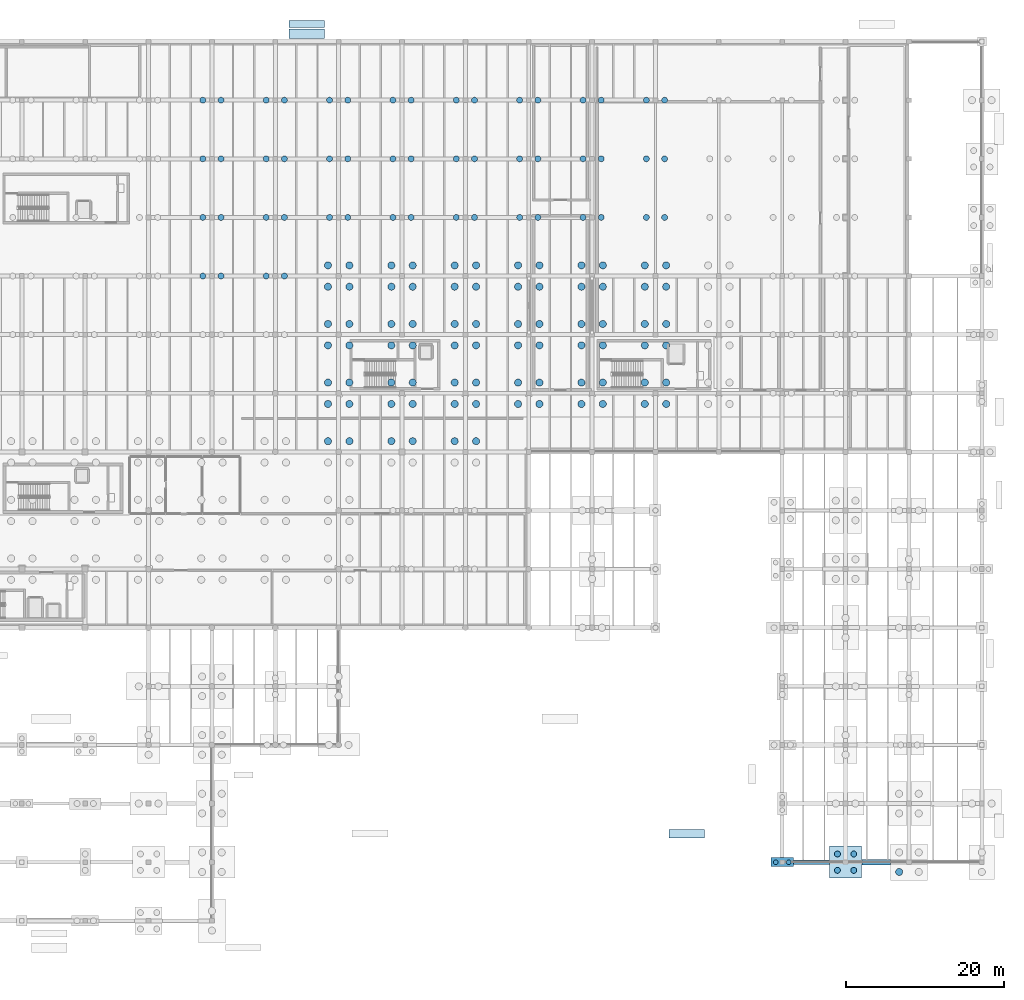
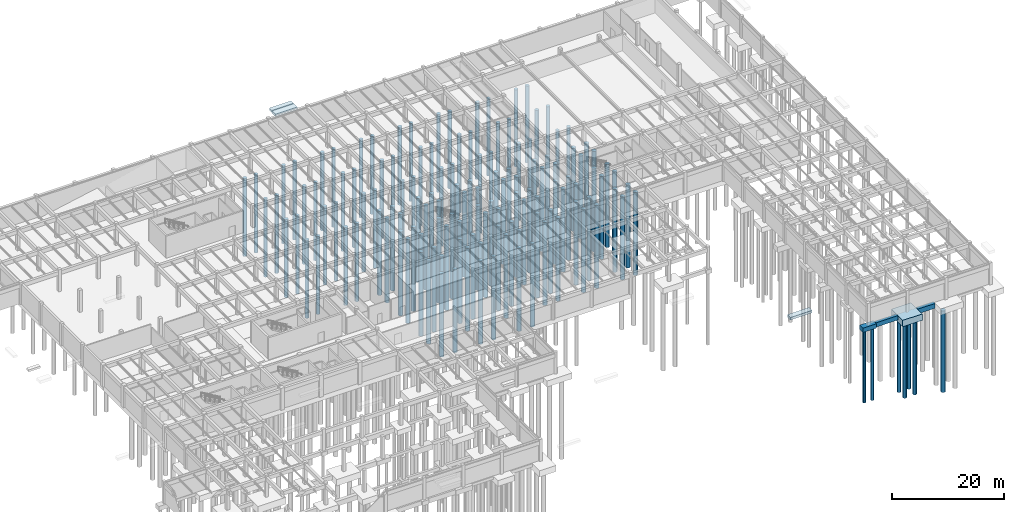
# One storey, part 5 of 40: 137 piles, 7 footings.
"""IFC4 building model written with IfcOpenShell, lengths in metres."""

from ifc_helpers import new_model, si_unit, direction, frame, origin, origin_2d, place, context, subcontext, project, spatial, polyline, rectangle, circle, outline, extrude, material, material_profile, profile_set, type_object, element, save


model = new_model("IFC4")

# Units and contexts
model_context = context("Model", 3, precision=1e-05, world=origin(), true_north=direction((0.0, 1.0)))
body_context = subcontext(model_context, "Body", "Model", "MODEL_VIEW")
ifc_project = project(units=[si_unit("LENGTHUNIT", "METRE"), si_unit("AREAUNIT", "SQUARE_METRE"), si_unit("VOLUMEUNIT", "CUBIC_METRE"), si_unit("PLANEANGLEUNIT", "RADIAN"), si_unit("MASSUNIT", "GRAM", prefix="KILO")], contexts=[model_context])

# Site, building, storey
site_placement = place(None, origin())
site = spatial("IfcSite", under=ifc_project, at=site_placement, CompositionType="ELEMENT")
building_placement = place(site_placement, origin())
building = spatial("IfcBuilding", under=site, at=building_placement, Name="Valkorina Park Police Headquarters", CompositionType="ELEMENT")
storey_placement = place(building_placement, frame((0.0, 0.0, -4.800048828125)))
storey = spatial("IfcBuildingStorey", under=building, at=storey_placement, Name="B01", CompositionType="ELEMENT", Elevation=-4.800048828125)

# Footings
ifc_material_1 = material(Name="Concrete C35/45", Category="concrete")
ifc_material_profile_1 = material_profile(ifc_material_1, rectangle(XDim=0.60009765625, YDim=0.949951171875, at=origin_2d()), Name="GB 600x950")
ifc_profile_set_1 = profile_set([ifc_material_profile_1], Name="Concrete C35/45")
footing_type_1 = type_object("IfcFootingType", Name="FT-GB-05", PredefinedType="FOOTING_BEAM", material=ifc_profile_set_1)
footing_1_placement = place(storey_placement, frame((0.0, 0.0, -0.949951171875)))
element("IfcFooting", 1, at=footing_1_placement, inside=storey, type_object=footing_type_1, Name="Pile Cap Tie Beam GB-05 #17", PredefinedType="FOOTING_BEAM", context=body_context, shape_type="SweptSolid", body=[
    extrude(outline(polyline([(142.7548828125, 7.10009765625), (142.7548828125, 7.699951171875), (138.2451171875, 7.699951171875), (138.2451171875, 7.10009765625), (142.7548828125, 7.10009765625)])), origin(), (0.0, 0.0, 1.0), 0.949951171875),
])
ifc_material_profile_2 = material_profile(ifc_material_1, rectangle(XDim=0.699951171875, YDim=1.050048828125, at=origin_2d()), Name="GB 700x1050")
ifc_profile_set_2 = profile_set([ifc_material_profile_2], Name="Concrete C35/45")
footing_type_2 = type_object("IfcFootingType", Name="FT-GB-06", PredefinedType="FOOTING_BEAM", material=ifc_profile_set_2)
footing_2_placement = place(storey_placement, frame((0.0, 0.0, -1.050048828125)))
element("IfcFooting", 2, at=footing_2_placement, inside=storey, type_object=footing_type_2, Name="Pile Cap Tie Beam GB-06 #18", PredefinedType="FOOTING_BEAM", context=body_context, shape_type="SweptSolid", body=[
    extrude(outline(polyline([(150.455078125, 7.050048828125), (150.455078125, 7.75), (146.844970703125, 7.75), (146.844970703125, 7.050048828125), (150.455078125, 7.050048828125)])), origin(), (0.0, 0.0, 1.0), 1.050048828125),
])
ifc_material_2 = material(Name="Concrete C40/50", Category="concrete")
footing_type_3 = type_object("IfcFootingType", Name="FT-PC-04", PredefinedType="PILE_CAP", material=ifc_material_2)
footing_3_placement = place(storey_placement, frame((136.800048828125, 7.39990234375, -0.94970703125), z_axis=(0.0, 0.0, 1.0), x_axis=(1.0, 0.0, 0.0)))
element("IfcFooting", 3, at=footing_3_placement, inside=storey, type_object=footing_type_3, Name="Pile Cap PC-04 #56", PredefinedType="PILE_CAP", context=body_context, shape_type="SweptSolid", body=[
    extrude(rectangle(XDim=2.85009765625, YDim=1.14990234375, at=origin_2d()), origin(), (0.0, 0.0, 1.0), 0.949951171875),
])
footing_type_4 = type_object("IfcFootingType", Name="FT-PC-11", PredefinedType="PILE_CAP", material=ifc_material_2)
footing_4_placement = place(storey_placement, frame((144.800048828125, 7.39990234375, -1.39990234375), z_axis=(0.0, 0.0, 1.0), x_axis=(1.0, 0.0, 0.0)))
element("IfcFooting", 4, at=footing_4_placement, inside=storey, type_object=footing_type_4, Name="Pile Cap PC-11 #63", PredefinedType="PILE_CAP", context=body_context, shape_type="SweptSolid", body=[
    extrude(rectangle(XDim=4.050048828125, YDim=4.050048828125, at=origin_2d()), origin(), (0.0, 0.0, 1.0), 1.39990234375),
])
ifc_material_profile_3 = material_profile(ifc_material_1, rectangle(XDim=0.89990234375, YDim=0.5, at=origin_2d()), Name="SF 900x500")
ifc_profile_set_3 = profile_set([ifc_material_profile_3], Name="Concrete C35/45")
footing_type_5 = type_object("IfcFootingType", Name="FT-SF-02", PredefinedType="STRIP_FOOTING", material=ifc_profile_set_3)
footing_5_placement = place(storey_placement, frame((0.0, 0.0, 4.1201171875)))
element("IfcFooting", 5, at=footing_5_placement, inside=storey, type_object=footing_type_5, Name="Grade Apron Strip Footing SF-02 #18", PredefinedType="STRIP_FOOTING", context=body_context, shape_type="SweptSolid", body=[
    extrude(outline(polyline([(79.0, 112.75), (79.0, 113.64990234375), (74.5, 113.64990234375), (74.5, 112.75), (79.0, 112.75)])), origin(), (0.0, 0.0, 1.0), 0.5),
])
ifc_material_profile_4 = material_profile(ifc_material_1, rectangle(XDim=1.050048828125, YDim=0.550048828125, at=origin_2d()), Name="SF 1050x550")
ifc_profile_set_4 = profile_set([ifc_material_profile_4], Name="Concrete C35/45")
footing_type_6 = type_object("IfcFootingType", Name="FT-SF-03", PredefinedType="STRIP_FOOTING", material=ifc_profile_set_4)
footing_6_placement = place(storey_placement, frame((0.0, 0.0, 4.070068359375)))
element("IfcFooting", 6, at=footing_6_placement, inside=storey, type_object=footing_type_6, Name="Grade Apron Strip Footing SF-03 #15", PredefinedType="STRIP_FOOTING", context=body_context, shape_type="SweptSolid", body=[
    extrude(outline(polyline([(127.0, 10.47509765625), (127.0, 11.52490234375), (122.5, 11.52490234375), (122.5, 10.47509765625), (127.0, 10.47509765625)])), origin(), (0.0, 0.0, 1.0), 0.550048828125),
])
ifc_material_profile_5 = material_profile(ifc_material_1, rectangle(XDim=1.199951171875, YDim=0.60009765625, at=origin_2d()), Name="SF 1200x600")
ifc_profile_set_5 = profile_set([ifc_material_profile_5], Name="Concrete C35/45")
footing_type_7 = type_object("IfcFootingType", Name="FT-SF-04", PredefinedType="STRIP_FOOTING", material=ifc_profile_set_5)
footing_7_placement = place(storey_placement, frame((0.0, 0.0, 4.02001953125)))
element("IfcFooting", 7, at=footing_7_placement, inside=storey, type_object=footing_type_7, Name="Grade Apron Strip Footing SF-04 #20", PredefinedType="STRIP_FOOTING", context=body_context, shape_type="SweptSolid", body=[
    extrude(outline(polyline([(79.0, 111.39990234375), (79.0, 112.60009765625), (74.5, 112.60009765625), (74.5, 111.39990234375), (79.0, 111.39990234375)])), origin(), (0.0, 0.0, 1.0), 0.60009765625),
])

# Piles
ifc_material_3 = material(Name="Concrete C30/37", Category="concrete")
ifc_material_profile_6 = material_profile(ifc_material_3, circle(Radius=0.300048828125, at=origin_2d()), Name="BORED PILE D600")
ifc_profile_set_6 = profile_set([ifc_material_profile_6], Name="Concrete C30/37")
pile_type_1 = type_object("IfcPileType", Name="PL-BORED-D600", PredefinedType="BORED", material=ifc_profile_set_6)
for number, where, z_axis, x_axis, name in (
    (8, (135.97509765625, 7.39990234375, -0.800048828125), (0.0, 0.0, -1.0), (1.0, 0.0, 0.0), "Bored Pile 0484 (Cap PC-04)"),
    (9, (137.625, 7.39990234375, -0.800048828125), (0.0, 0.0, -1.0), (1.0, 0.0, 0.0), "Bored Pile 0485 (Cap PC-04)"),
):
    element("IfcPile", number, at=place(storey_placement, frame(where, z_axis=z_axis, x_axis=x_axis)), inside=storey, type_object=pile_type_1, Name=name, PredefinedType="BORED", context=body_context, shape_type="SweptSolid", body=[
        extrude(circle(Radius=0.300048828125, at=origin_2d()), origin(), (0.0, 0.0, 1.0), 15.89990234375),
    ])
ifc_material_profile_7 = material_profile(ifc_material_3, circle(Radius=0.375, at=origin_2d()), Name="BORED PILE D750")
ifc_profile_set_7 = profile_set([ifc_material_profile_7], Name="Concrete C30/37")
pile_type_2 = type_object("IfcPileType", Name="PL-BORED-D750", PredefinedType="BORED", material=ifc_profile_set_7)
for number, where, z_axis, x_axis, name in (
    (10, (63.64990234375, 81.39990234375, -0.64990234375), (0.0, 0.0, -1.0), (1.0, 0.0, 0.0), "Bored Pile 0147 (Raft Cluster)"),
    (11, (65.949951171875, 81.39990234375, -0.64990234375), (0.0, 0.0, -1.0), (1.0, 0.0, 0.0), "Bored Pile 0148 (Raft Cluster)"),
    (12, (63.64990234375, 88.800048828125, -0.64990234375), (0.0, 0.0, -1.0), (1.0, 0.0, 0.0), "Bored Pile 0149 (Raft Cluster)"),
    (13, (65.949951171875, 88.800048828125, -0.64990234375), (0.0, 0.0, -1.0), (1.0, 0.0, 0.0), "Bored Pile 0150 (Raft Cluster)"),
    (14, (63.64990234375, 96.199951171875, -0.64990234375), (0.0, 0.0, -1.0), (1.0, 0.0, 0.0), "Bored Pile 0151 (Raft Cluster)"),
    (15, (65.949951171875, 96.199951171875, -0.64990234375), (0.0, 0.0, -1.0), (1.0, 0.0, 0.0), "Bored Pile 0152 (Raft Cluster)"),
    (16, (63.64990234375, 103.60009765625, -0.64990234375), (0.0, 0.0, -1.0), (1.0, 0.0, 0.0), "Bored Pile 0153 (Raft Cluster)"),
    (17, (65.949951171875, 103.60009765625, -0.64990234375), (0.0, 0.0, -1.0), (1.0, 0.0, 0.0), "Bored Pile 0154 (Raft Cluster)"),
    (18, (71.64990234375, 81.39990234375, -0.64990234375), (0.0, 0.0, -1.0), (1.0, 0.0, 0.0), "Bored Pile 0169 (Raft Cluster)"),
    (19, (73.949951171875, 81.39990234375, -0.64990234375), (0.0, 0.0, -1.0), (1.0, 0.0, 0.0), "Bored Pile 0170 (Raft Cluster)"),
    (20, (71.64990234375, 88.800048828125, -0.64990234375), (0.0, 0.0, -1.0), (1.0, 0.0, 0.0), "Bored Pile 0171 (Raft Cluster)"),
    (21, (73.949951171875, 88.800048828125, -0.64990234375), (0.0, 0.0, -1.0), (1.0, 0.0, 0.0), "Bored Pile 0172 (Raft Cluster)"),
    (22, (71.64990234375, 96.199951171875, -0.64990234375), (0.0, 0.0, -1.0), (1.0, 0.0, 0.0), "Bored Pile 0173 (Raft Cluster)"),
    (23, (73.949951171875, 96.199951171875, -0.64990234375), (0.0, 0.0, -1.0), (1.0, 0.0, 0.0), "Bored Pile 0174 (Raft Cluster)"),
    (24, (71.64990234375, 103.60009765625, -0.64990234375), (0.0, 0.0, -1.0), (1.0, 0.0, 0.0), "Bored Pile 0175 (Raft Cluster)"),
    (25, (73.949951171875, 103.60009765625, -0.64990234375), (0.0, 0.0, -1.0), (1.0, 0.0, 0.0), "Bored Pile 0176 (Raft Cluster)"),
    (26, (79.64990234375, 88.800048828125, -0.64990234375), (0.0, 0.0, -1.0), (1.0, 0.0, 0.0), "Bored Pile 0201 (Raft Cluster)"),
    (27, (81.949951171875, 88.800048828125, -0.64990234375), (0.0, 0.0, -1.0), (1.0, 0.0, 0.0), "Bored Pile 0202 (Raft Cluster)"),
    (28, (79.64990234375, 96.199951171875, -0.64990234375), (0.0, 0.0, -1.0), (1.0, 0.0, 0.0), "Bored Pile 0203 (Raft Cluster)"),
    (29, (81.949951171875, 96.199951171875, -0.64990234375), (0.0, 0.0, -1.0), (1.0, 0.0, 0.0), "Bored Pile 0204 (Raft Cluster)"),
    (30, (79.64990234375, 103.60009765625, -0.64990234375), (0.0, 0.0, -1.0), (1.0, 0.0, 0.0), "Bored Pile 0205 (Raft Cluster)"),
    (31, (81.949951171875, 103.60009765625, -0.64990234375), (0.0, 0.0, -1.0), (1.0, 0.0, 0.0), "Bored Pile 0206 (Raft Cluster)"),
    (32, (87.64990234375, 88.800048828125, -0.64990234375), (0.0, 0.0, -1.0), (1.0, 0.0, 0.0), "Bored Pile 0227 (Raft Cluster)"),
    (33, (89.949951171875, 88.800048828125, -0.64990234375), (0.0, 0.0, -1.0), (1.0, 0.0, 0.0), "Bored Pile 0228 (Raft Cluster)"),
    (34, (87.64990234375, 96.199951171875, -0.64990234375), (0.0, 0.0, -1.0), (1.0, 0.0, 0.0), "Bored Pile 0229 (Raft Cluster)"),
    (35, (89.949951171875, 96.199951171875, -0.64990234375), (0.0, 0.0, -1.0), (1.0, 0.0, 0.0), "Bored Pile 0230 (Raft Cluster)"),
    (36, (87.64990234375, 103.60009765625, -0.64990234375), (0.0, 0.0, -1.0), (1.0, 0.0, 0.0), "Bored Pile 0231 (Raft Cluster)"),
    (37, (89.949951171875, 103.60009765625, -0.64990234375), (0.0, 0.0, -1.0), (1.0, 0.0, 0.0), "Bored Pile 0232 (Raft Cluster)"),
    (38, (95.64990234375, 88.800048828125, -0.64990234375), (0.0, 0.0, -1.0), (1.0, 0.0, 0.0), "Bored Pile 0253 (Raft Cluster)"),
    (39, (97.949951171875, 88.800048828125, -0.64990234375), (0.0, 0.0, -1.0), (1.0, 0.0, 0.0), "Bored Pile 0254 (Raft Cluster)"),
    (40, (95.64990234375, 96.199951171875, -0.64990234375), (0.0, 0.0, -1.0), (1.0, 0.0, 0.0), "Bored Pile 0255 (Raft Cluster)"),
    (41, (97.949951171875, 96.199951171875, -0.64990234375), (0.0, 0.0, -1.0), (1.0, 0.0, 0.0), "Bored Pile 0256 (Raft Cluster)"),
    (42, (95.64990234375, 103.60009765625, -0.64990234375), (0.0, 0.0, -1.0), (1.0, 0.0, 0.0), "Bored Pile 0257 (Raft Cluster)"),
    (43, (97.949951171875, 103.60009765625, -0.64990234375), (0.0, 0.0, -1.0), (1.0, 0.0, 0.0), "Bored Pile 0258 (Raft Cluster)"),
    (44, (103.64990234375, 88.800048828125, -0.64990234375), (0.0, 0.0, -1.0), (1.0, 0.0, 0.0), "Bored Pile 0271 (Raft Cluster)"),
):
    element("IfcPile", number, at=place(storey_placement, frame(where, z_axis=z_axis, x_axis=x_axis)), inside=storey, type_object=pile_type_2, Name=name, PredefinedType="BORED", context=body_context, shape_type="SweptSolid", body=[
        extrude(circle(Radius=0.375, at=origin_2d()), origin(), (0.0, 0.0, 1.0), 17.050048828125),
    ])
pile_1_placement = place(storey_placement, frame((105.949951171875, 88.800048828125, -0.89990234375), z_axis=(0.0, 0.0, -1.0), x_axis=(1.0, 0.0, 0.0)))
element("IfcPile", 45, at=pile_1_placement, inside=storey, type_object=pile_type_2, Name="Bored Pile 0272 (Raft Cluster)", PredefinedType="BORED", context=body_context, shape_type="SweptSolid", body=[
    extrude(circle(Radius=0.375, at=origin_2d()), origin(), (0.0, 0.0, 1.0), 16.800048828125),
])
pile_2_placement = place(storey_placement, frame((103.64990234375, 96.199951171875, -0.64990234375), z_axis=(0.0, 0.0, -1.0), x_axis=(1.0, 0.0, 0.0)))
element("IfcPile", 46, at=pile_2_placement, inside=storey, type_object=pile_type_2, Name="Bored Pile 0273 (Raft Cluster)", PredefinedType="BORED", context=body_context, shape_type="SweptSolid", body=[
    extrude(circle(Radius=0.375, at=origin_2d()), origin(), (0.0, 0.0, 1.0), 17.050048828125),
])
pile_3_placement = place(storey_placement, frame((105.949951171875, 96.199951171875, -0.89990234375), z_axis=(0.0, 0.0, -1.0), x_axis=(1.0, 0.0, 0.0)))
element("IfcPile", 47, at=pile_3_placement, inside=storey, type_object=pile_type_2, Name="Bored Pile 0274 (Raft Cluster)", PredefinedType="BORED", context=body_context, shape_type="SweptSolid", body=[
    extrude(circle(Radius=0.375, at=origin_2d()), origin(), (0.0, 0.0, 1.0), 16.800048828125),
])
pile_4_placement = place(storey_placement, frame((103.64990234375, 103.60009765625, -0.64990234375), z_axis=(0.0, 0.0, -1.0), x_axis=(1.0, 0.0, 0.0)))
element("IfcPile", 48, at=pile_4_placement, inside=storey, type_object=pile_type_2, Name="Bored Pile 0275 (Raft Cluster)", PredefinedType="BORED", context=body_context, shape_type="SweptSolid", body=[
    extrude(circle(Radius=0.375, at=origin_2d()), origin(), (0.0, 0.0, 1.0), 17.050048828125),
])
for number, where, z_axis, x_axis, name in (
    (49, (105.949951171875, 103.60009765625, -0.89990234375), (0.0, 0.0, -1.0), (1.0, 0.0, 0.0), "Bored Pile 0276 (Raft Cluster)"),
    (50, (111.64990234375, 88.800048828125, -0.89990234375), (0.0, 0.0, -1.0), (1.0, 0.0, 0.0), "Bored Pile 0289 (Raft Cluster)"),
    (51, (113.949951171875, 88.800048828125, -0.89990234375), (0.0, 0.0, -1.0), (1.0, 0.0, 0.0), "Bored Pile 0290 (Raft Cluster)"),
    (52, (111.64990234375, 96.199951171875, -0.89990234375), (0.0, 0.0, -1.0), (1.0, 0.0, 0.0), "Bored Pile 0291 (Raft Cluster)"),
    (53, (113.949951171875, 96.199951171875, -0.89990234375), (0.0, 0.0, -1.0), (1.0, 0.0, 0.0), "Bored Pile 0292 (Raft Cluster)"),
    (54, (111.64990234375, 103.60009765625, -0.89990234375), (0.0, 0.0, -1.0), (1.0, 0.0, 0.0), "Bored Pile 0293 (Raft Cluster)"),
    (55, (113.949951171875, 103.60009765625, -0.89990234375), (0.0, 0.0, -1.0), (1.0, 0.0, 0.0), "Bored Pile 0294 (Raft Cluster)"),
    (56, (119.64990234375, 88.800048828125, -0.89990234375), (0.0, 0.0, -1.0), (1.0, 0.0, 0.0), "Bored Pile 0307 (Raft Cluster)"),
    (57, (121.949951171875, 88.800048828125, -0.89990234375), (0.0, 0.0, -1.0), (1.0, 0.0, 0.0), "Bored Pile 0308 (Raft Cluster)"),
    (58, (119.64990234375, 96.199951171875, -0.89990234375), (0.0, 0.0, -1.0), (1.0, 0.0, 0.0), "Bored Pile 0309 (Raft Cluster)"),
    (59, (121.949951171875, 96.199951171875, -0.89990234375), (0.0, 0.0, -1.0), (1.0, 0.0, 0.0), "Bored Pile 0310 (Raft Cluster)"),
    (60, (119.64990234375, 103.60009765625, -0.89990234375), (0.0, 0.0, -1.0), (1.0, 0.0, 0.0), "Bored Pile 0311 (Raft Cluster)"),
    (61, (121.949951171875, 103.60009765625, -0.89990234375), (0.0, 0.0, -1.0), (1.0, 0.0, 0.0), "Bored Pile 0312 (Raft Cluster)"),
):
    element("IfcPile", number, at=place(storey_placement, frame(where, z_axis=z_axis, x_axis=x_axis)), inside=storey, type_object=pile_type_2, Name=name, PredefinedType="BORED", context=body_context, shape_type="SweptSolid", body=[
        extrude(circle(Radius=0.375, at=origin_2d()), origin(), (0.0, 0.0, 1.0), 16.800048828125),
    ])
for number, where, z_axis, x_axis, name in (
    (62, (143.768798828125, 6.368896484375, -1.25), (0.0, 0.0, -1.0), (1.0, 0.0, 0.0), "Bored Pile 0502 (Cap PC-11)"),
    (63, (143.768798828125, 8.431396484375, -1.25), (0.0, 0.0, -1.0), (1.0, 0.0, 0.0), "Bored Pile 0503 (Cap PC-11)"),
    (64, (145.831298828125, 6.368896484375, -1.25), (0.0, 0.0, -1.0), (1.0, 0.0, 0.0), "Bored Pile 0504 (Cap PC-11)"),
    (65, (145.831298828125, 8.431396484375, -1.25), (0.0, 0.0, -1.0), (1.0, 0.0, 0.0), "Bored Pile 0505 (Cap PC-11)"),
):
    element("IfcPile", number, at=place(storey_placement, frame(where, z_axis=z_axis, x_axis=x_axis)), inside=storey, type_object=pile_type_2, Name=name, PredefinedType="BORED", context=body_context, shape_type="SweptSolid", body=[
        extrude(circle(Radius=0.375, at=origin_2d()), origin(), (0.0, 0.0, 1.0), 16.449951171875),
    ])
ifc_material_profile_8 = material_profile(ifc_material_1, circle(Radius=0.449951171875, at=origin_2d()), Name="BORED PILE D900")
ifc_profile_set_8 = profile_set([ifc_material_profile_8], Name="Concrete C35/45")
pile_type_3 = type_object("IfcPileType", Name="PL-BORED-D900", PredefinedType="BORED", material=ifc_profile_set_8)
for number, where, z_axis, x_axis, name in (
    (66, (79.449951171875, 60.550048828125, -0.89990234375), (0.0, 0.0, -1.0), (1.0, 0.0, 0.0), "Bored Pile 0187 (Raft Cluster)"),
    (67, (82.14990234375, 60.550048828125, -0.89990234375), (0.0, 0.0, -1.0), (1.0, 0.0, 0.0), "Bored Pile 0188 (Raft Cluster)"),
    (68, (79.449951171875, 65.25, -0.89990234375), (0.0, 0.0, -1.0), (1.0, 0.0, 0.0), "Bored Pile 0189 (Raft Cluster)"),
    (69, (82.14990234375, 65.25, -0.89990234375), (0.0, 0.0, -1.0), (1.0, 0.0, 0.0), "Bored Pile 0190 (Raft Cluster)"),
):
    element("IfcPile", number, at=place(storey_placement, frame(where, z_axis=z_axis, x_axis=x_axis)), inside=storey, type_object=pile_type_3, Name=name, PredefinedType="BORED", context=body_context, shape_type="SweptSolid", body=[
        extrude(circle(Radius=0.449951171875, at=origin_2d()), origin(), (0.0, 0.0, 1.0), 18.10009765625),
    ])
for number, where, z_axis, x_axis, name in (
    (70, (79.449951171875, 67.949951171875, -0.64990234375), (0.0, 0.0, -1.0), (1.0, 0.0, 0.0), "Bored Pile 0191 (Raft Cluster)"),
    (71, (82.14990234375, 67.949951171875, -0.64990234375), (0.0, 0.0, -1.0), (1.0, 0.0, 0.0), "Bored Pile 0192 (Raft Cluster)"),
    (72, (79.449951171875, 72.64990234375, -0.64990234375), (0.0, 0.0, -1.0), (1.0, 0.0, 0.0), "Bored Pile 0193 (Raft Cluster)"),
    (73, (82.14990234375, 72.64990234375, -0.64990234375), (0.0, 0.0, -1.0), (1.0, 0.0, 0.0), "Bored Pile 0194 (Raft Cluster)"),
    (74, (79.449951171875, 75.35009765625, -0.64990234375), (0.0, 0.0, -1.0), (1.0, 0.0, 0.0), "Bored Pile 0195 (Raft Cluster)"),
    (75, (82.14990234375, 75.35009765625, -0.64990234375), (0.0, 0.0, -1.0), (1.0, 0.0, 0.0), "Bored Pile 0196 (Raft Cluster)"),
    (76, (79.449951171875, 80.050048828125, -0.64990234375), (0.0, 0.0, -1.0), (1.0, 0.0, 0.0), "Bored Pile 0197 (Raft Cluster)"),
    (77, (82.14990234375, 80.050048828125, -0.64990234375), (0.0, 0.0, -1.0), (1.0, 0.0, 0.0), "Bored Pile 0198 (Raft Cluster)"),
    (78, (79.449951171875, 82.75, -0.64990234375), (0.0, 0.0, -1.0), (1.0, 0.0, 0.0), "Bored Pile 0199 (Raft Cluster)"),
    (79, (82.14990234375, 82.75, -0.64990234375), (0.0, 0.0, -1.0), (1.0, 0.0, 0.0), "Bored Pile 0200 (Raft Cluster)"),
):
    element("IfcPile", number, at=place(storey_placement, frame(where, z_axis=z_axis, x_axis=x_axis)), inside=storey, type_object=pile_type_3, Name=name, PredefinedType="BORED", context=body_context, shape_type="SweptSolid", body=[
        extrude(circle(Radius=0.449951171875, at=origin_2d()), origin(), (0.0, 0.0, 1.0), 18.35009765625),
    ])
for number, where, z_axis, x_axis, name in (
    (80, (87.449951171875, 60.550048828125, -0.89990234375), (0.0, 0.0, -1.0), (1.0, 0.0, 0.0), "Bored Pile 0213 (Raft Cluster)"),
    (81, (90.14990234375, 60.550048828125, -0.89990234375), (0.0, 0.0, -1.0), (1.0, 0.0, 0.0), "Bored Pile 0214 (Raft Cluster)"),
    (82, (87.449951171875, 65.25, -0.89990234375), (0.0, 0.0, -1.0), (1.0, 0.0, 0.0), "Bored Pile 0215 (Raft Cluster)"),
    (83, (90.14990234375, 65.25, -0.89990234375), (0.0, 0.0, -1.0), (1.0, 0.0, 0.0), "Bored Pile 0216 (Raft Cluster)"),
):
    element("IfcPile", number, at=place(storey_placement, frame(where, z_axis=z_axis, x_axis=x_axis)), inside=storey, type_object=pile_type_3, Name=name, PredefinedType="BORED", context=body_context, shape_type="SweptSolid", body=[
        extrude(circle(Radius=0.449951171875, at=origin_2d()), origin(), (0.0, 0.0, 1.0), 18.10009765625),
    ])
for number, where, z_axis, x_axis, name in (
    (84, (87.449951171875, 67.949951171875, -0.64990234375), (0.0, 0.0, -1.0), (1.0, 0.0, 0.0), "Bored Pile 0217 (Raft Cluster)"),
    (85, (90.14990234375, 67.949951171875, -0.64990234375), (0.0, 0.0, -1.0), (1.0, 0.0, 0.0), "Bored Pile 0218 (Raft Cluster)"),
    (86, (87.449951171875, 72.64990234375, -0.64990234375), (0.0, 0.0, -1.0), (1.0, 0.0, 0.0), "Bored Pile 0219 (Raft Cluster)"),
    (87, (90.14990234375, 72.64990234375, -0.64990234375), (0.0, 0.0, -1.0), (1.0, 0.0, 0.0), "Bored Pile 0220 (Raft Cluster)"),
    (88, (87.449951171875, 75.35009765625, -0.64990234375), (0.0, 0.0, -1.0), (1.0, 0.0, 0.0), "Bored Pile 0221 (Raft Cluster)"),
    (89, (90.14990234375, 75.35009765625, -0.64990234375), (0.0, 0.0, -1.0), (1.0, 0.0, 0.0), "Bored Pile 0222 (Raft Cluster)"),
    (90, (87.449951171875, 80.050048828125, -0.64990234375), (0.0, 0.0, -1.0), (1.0, 0.0, 0.0), "Bored Pile 0223 (Raft Cluster)"),
    (91, (90.14990234375, 80.050048828125, -0.64990234375), (0.0, 0.0, -1.0), (1.0, 0.0, 0.0), "Bored Pile 0224 (Raft Cluster)"),
    (92, (87.449951171875, 82.75, -0.64990234375), (0.0, 0.0, -1.0), (1.0, 0.0, 0.0), "Bored Pile 0225 (Raft Cluster)"),
    (93, (90.14990234375, 82.75, -0.64990234375), (0.0, 0.0, -1.0), (1.0, 0.0, 0.0), "Bored Pile 0226 (Raft Cluster)"),
):
    element("IfcPile", number, at=place(storey_placement, frame(where, z_axis=z_axis, x_axis=x_axis)), inside=storey, type_object=pile_type_3, Name=name, PredefinedType="BORED", context=body_context, shape_type="SweptSolid", body=[
        extrude(circle(Radius=0.449951171875, at=origin_2d()), origin(), (0.0, 0.0, 1.0), 18.35009765625),
    ])
for number, where, z_axis, x_axis, name in (
    (94, (95.449951171875, 60.550048828125, -0.89990234375), (0.0, 0.0, -1.0), (1.0, 0.0, 0.0), "Bored Pile 0239 (Raft Cluster)"),
    (95, (98.14990234375, 60.550048828125, -0.89990234375), (0.0, 0.0, -1.0), (1.0, 0.0, 0.0), "Bored Pile 0240 (Raft Cluster)"),
    (96, (95.449951171875, 65.25, -0.89990234375), (0.0, 0.0, -1.0), (1.0, 0.0, 0.0), "Bored Pile 0241 (Raft Cluster)"),
    (97, (98.14990234375, 65.25, -0.89990234375), (0.0, 0.0, -1.0), (1.0, 0.0, 0.0), "Bored Pile 0242 (Raft Cluster)"),
):
    element("IfcPile", number, at=place(storey_placement, frame(where, z_axis=z_axis, x_axis=x_axis)), inside=storey, type_object=pile_type_3, Name=name, PredefinedType="BORED", context=body_context, shape_type="SweptSolid", body=[
        extrude(circle(Radius=0.449951171875, at=origin_2d()), origin(), (0.0, 0.0, 1.0), 18.10009765625),
    ])
for number, where, z_axis, x_axis, name in (
    (98, (95.449951171875, 67.949951171875, -0.64990234375), (0.0, 0.0, -1.0), (1.0, 0.0, 0.0), "Bored Pile 0243 (Raft Cluster)"),
    (99, (98.14990234375, 67.949951171875, -0.64990234375), (0.0, 0.0, -1.0), (1.0, 0.0, 0.0), "Bored Pile 0244 (Raft Cluster)"),
    (100, (95.449951171875, 72.64990234375, -0.64990234375), (0.0, 0.0, -1.0), (1.0, 0.0, 0.0), "Bored Pile 0245 (Raft Cluster)"),
    (101, (98.14990234375, 72.64990234375, -0.64990234375), (0.0, 0.0, -1.0), (1.0, 0.0, 0.0), "Bored Pile 0246 (Raft Cluster)"),
    (102, (95.449951171875, 75.35009765625, -0.64990234375), (0.0, 0.0, -1.0), (1.0, 0.0, 0.0), "Bored Pile 0247 (Raft Cluster)"),
    (103, (98.14990234375, 75.35009765625, -0.64990234375), (0.0, 0.0, -1.0), (1.0, 0.0, 0.0), "Bored Pile 0248 (Raft Cluster)"),
    (104, (95.449951171875, 80.050048828125, -0.64990234375), (0.0, 0.0, -1.0), (1.0, 0.0, 0.0), "Bored Pile 0249 (Raft Cluster)"),
    (105, (98.14990234375, 80.050048828125, -0.64990234375), (0.0, 0.0, -1.0), (1.0, 0.0, 0.0), "Bored Pile 0250 (Raft Cluster)"),
    (106, (95.449951171875, 82.75, -0.64990234375), (0.0, 0.0, -1.0), (1.0, 0.0, 0.0), "Bored Pile 0251 (Raft Cluster)"),
    (107, (98.14990234375, 82.75, -0.64990234375), (0.0, 0.0, -1.0), (1.0, 0.0, 0.0), "Bored Pile 0252 (Raft Cluster)"),
):
    element("IfcPile", number, at=place(storey_placement, frame(where, z_axis=z_axis, x_axis=x_axis)), inside=storey, type_object=pile_type_3, Name=name, PredefinedType="BORED", context=body_context, shape_type="SweptSolid", body=[
        extrude(circle(Radius=0.449951171875, at=origin_2d()), origin(), (0.0, 0.0, 1.0), 18.35009765625),
    ])
for number, where, z_axis, x_axis, name in (
    (108, (103.449951171875, 65.25, -0.89990234375), (0.0, 0.0, -1.0), (1.0, 0.0, 0.0), "Bored Pile 0259 (Raft Cluster)"),
    (109, (106.14990234375, 65.25, -0.89990234375), (0.0, 0.0, -1.0), (1.0, 0.0, 0.0), "Bored Pile 0260 (Raft Cluster)"),
):
    element("IfcPile", number, at=place(storey_placement, frame(where, z_axis=z_axis, x_axis=x_axis)), inside=storey, type_object=pile_type_3, Name=name, PredefinedType="BORED", context=body_context, shape_type="SweptSolid", body=[
        extrude(circle(Radius=0.449951171875, at=origin_2d()), origin(), (0.0, 0.0, 1.0), 18.10009765625),
    ])
pile_5_placement = place(storey_placement, frame((103.449951171875, 67.949951171875, -0.64990234375), z_axis=(0.0, 0.0, -1.0), x_axis=(1.0, 0.0, 0.0)))
element("IfcPile", 110, at=pile_5_placement, inside=storey, type_object=pile_type_3, Name="Bored Pile 0261 (Raft Cluster)", PredefinedType="BORED", context=body_context, shape_type="SweptSolid", body=[
    extrude(circle(Radius=0.449951171875, at=origin_2d()), origin(), (0.0, 0.0, 1.0), 18.35009765625),
])
pile_6_placement = place(storey_placement, frame((106.14990234375, 67.949951171875, -0.89990234375), z_axis=(0.0, 0.0, -1.0), x_axis=(1.0, 0.0, 0.0)))
element("IfcPile", 111, at=pile_6_placement, inside=storey, type_object=pile_type_3, Name="Bored Pile 0262 (Raft Cluster)", PredefinedType="BORED", context=body_context, shape_type="SweptSolid", body=[
    extrude(circle(Radius=0.449951171875, at=origin_2d()), origin(), (0.0, 0.0, 1.0), 18.10009765625),
])
pile_7_placement = place(storey_placement, frame((103.449951171875, 72.64990234375, -0.64990234375), z_axis=(0.0, 0.0, -1.0), x_axis=(1.0, 0.0, 0.0)))
element("IfcPile", 112, at=pile_7_placement, inside=storey, type_object=pile_type_3, Name="Bored Pile 0263 (Raft Cluster)", PredefinedType="BORED", context=body_context, shape_type="SweptSolid", body=[
    extrude(circle(Radius=0.449951171875, at=origin_2d()), origin(), (0.0, 0.0, 1.0), 18.35009765625),
])
pile_8_placement = place(storey_placement, frame((106.14990234375, 72.64990234375, -0.89990234375), z_axis=(0.0, 0.0, -1.0), x_axis=(1.0, 0.0, 0.0)))
element("IfcPile", 113, at=pile_8_placement, inside=storey, type_object=pile_type_3, Name="Bored Pile 0264 (Raft Cluster)", PredefinedType="BORED", context=body_context, shape_type="SweptSolid", body=[
    extrude(circle(Radius=0.449951171875, at=origin_2d()), origin(), (0.0, 0.0, 1.0), 18.10009765625),
])
pile_9_placement = place(storey_placement, frame((103.449951171875, 75.35009765625, -0.64990234375), z_axis=(0.0, 0.0, -1.0), x_axis=(1.0, 0.0, 0.0)))
element("IfcPile", 114, at=pile_9_placement, inside=storey, type_object=pile_type_3, Name="Bored Pile 0265 (Raft Cluster)", PredefinedType="BORED", context=body_context, shape_type="SweptSolid", body=[
    extrude(circle(Radius=0.449951171875, at=origin_2d()), origin(), (0.0, 0.0, 1.0), 18.35009765625),
])
pile_10_placement = place(storey_placement, frame((106.14990234375, 75.35009765625, -0.89990234375), z_axis=(0.0, 0.0, -1.0), x_axis=(1.0, 0.0, 0.0)))
element("IfcPile", 115, at=pile_10_placement, inside=storey, type_object=pile_type_3, Name="Bored Pile 0266 (Raft Cluster)", PredefinedType="BORED", context=body_context, shape_type="SweptSolid", body=[
    extrude(circle(Radius=0.449951171875, at=origin_2d()), origin(), (0.0, 0.0, 1.0), 18.10009765625),
])
pile_11_placement = place(storey_placement, frame((103.449951171875, 80.050048828125, -0.64990234375), z_axis=(0.0, 0.0, -1.0), x_axis=(1.0, 0.0, 0.0)))
element("IfcPile", 116, at=pile_11_placement, inside=storey, type_object=pile_type_3, Name="Bored Pile 0267 (Raft Cluster)", PredefinedType="BORED", context=body_context, shape_type="SweptSolid", body=[
    extrude(circle(Radius=0.449951171875, at=origin_2d()), origin(), (0.0, 0.0, 1.0), 18.35009765625),
])
pile_12_placement = place(storey_placement, frame((106.14990234375, 80.050048828125, -0.89990234375), z_axis=(0.0, 0.0, -1.0), x_axis=(1.0, 0.0, 0.0)))
element("IfcPile", 117, at=pile_12_placement, inside=storey, type_object=pile_type_3, Name="Bored Pile 0268 (Raft Cluster)", PredefinedType="BORED", context=body_context, shape_type="SweptSolid", body=[
    extrude(circle(Radius=0.449951171875, at=origin_2d()), origin(), (0.0, 0.0, 1.0), 18.10009765625),
])
pile_13_placement = place(storey_placement, frame((103.449951171875, 82.75, -0.64990234375), z_axis=(0.0, 0.0, -1.0), x_axis=(1.0, 0.0, 0.0)))
element("IfcPile", 118, at=pile_13_placement, inside=storey, type_object=pile_type_3, Name="Bored Pile 0269 (Raft Cluster)", PredefinedType="BORED", context=body_context, shape_type="SweptSolid", body=[
    extrude(circle(Radius=0.449951171875, at=origin_2d()), origin(), (0.0, 0.0, 1.0), 18.35009765625),
])
for number, where, z_axis, x_axis, name in (
    (119, (106.14990234375, 82.75, -0.89990234375), (0.0, 0.0, -1.0), (1.0, 0.0, 0.0), "Bored Pile 0270 (Raft Cluster)"),
    (120, (111.449951171875, 65.25, -0.89990234375), (0.0, 0.0, -1.0), (1.0, 0.0, 0.0), "Bored Pile 0277 (Raft Cluster)"),
    (121, (114.14990234375, 65.25, -0.89990234375), (0.0, 0.0, -1.0), (1.0, 0.0, 0.0), "Bored Pile 0278 (Raft Cluster)"),
    (122, (111.449951171875, 67.949951171875, -0.89990234375), (0.0, 0.0, -1.0), (1.0, 0.0, 0.0), "Bored Pile 0279 (Raft Cluster)"),
    (123, (114.14990234375, 67.949951171875, -0.89990234375), (0.0, 0.0, -1.0), (1.0, 0.0, 0.0), "Bored Pile 0280 (Raft Cluster)"),
    (124, (111.449951171875, 72.64990234375, -0.89990234375), (0.0, 0.0, -1.0), (1.0, 0.0, 0.0), "Bored Pile 0281 (Raft Cluster)"),
    (125, (114.14990234375, 72.64990234375, -0.89990234375), (0.0, 0.0, -1.0), (1.0, 0.0, 0.0), "Bored Pile 0282 (Raft Cluster)"),
    (126, (111.449951171875, 75.35009765625, -0.89990234375), (0.0, 0.0, -1.0), (1.0, 0.0, 0.0), "Bored Pile 0283 (Raft Cluster)"),
    (127, (114.14990234375, 75.35009765625, -0.89990234375), (0.0, 0.0, -1.0), (1.0, 0.0, 0.0), "Bored Pile 0284 (Raft Cluster)"),
    (128, (111.449951171875, 80.050048828125, -0.89990234375), (0.0, 0.0, -1.0), (1.0, 0.0, 0.0), "Bored Pile 0285 (Raft Cluster)"),
    (129, (114.14990234375, 80.050048828125, -0.89990234375), (0.0, 0.0, -1.0), (1.0, 0.0, 0.0), "Bored Pile 0286 (Raft Cluster)"),
    (130, (111.449951171875, 82.75, -0.89990234375), (0.0, 0.0, -1.0), (1.0, 0.0, 0.0), "Bored Pile 0287 (Raft Cluster)"),
    (131, (114.14990234375, 82.75, -0.89990234375), (0.0, 0.0, -1.0), (1.0, 0.0, 0.0), "Bored Pile 0288 (Raft Cluster)"),
    (132, (119.449951171875, 65.25, -0.89990234375), (0.0, 0.0, -1.0), (1.0, 0.0, 0.0), "Bored Pile 0295 (Raft Cluster)"),
    (133, (122.14990234375, 65.25, -0.89990234375), (0.0, 0.0, -1.0), (1.0, 0.0, 0.0), "Bored Pile 0296 (Raft Cluster)"),
    (134, (119.449951171875, 67.949951171875, -0.89990234375), (0.0, 0.0, -1.0), (1.0, 0.0, 0.0), "Bored Pile 0297 (Raft Cluster)"),
    (135, (122.14990234375, 67.949951171875, -0.89990234375), (0.0, 0.0, -1.0), (1.0, 0.0, 0.0), "Bored Pile 0298 (Raft Cluster)"),
    (136, (119.449951171875, 72.64990234375, -0.89990234375), (0.0, 0.0, -1.0), (1.0, 0.0, 0.0), "Bored Pile 0299 (Raft Cluster)"),
    (137, (122.14990234375, 72.64990234375, -0.89990234375), (0.0, 0.0, -1.0), (1.0, 0.0, 0.0), "Bored Pile 0300 (Raft Cluster)"),
    (138, (119.449951171875, 75.35009765625, -0.89990234375), (0.0, 0.0, -1.0), (1.0, 0.0, 0.0), "Bored Pile 0301 (Raft Cluster)"),
    (139, (122.14990234375, 75.35009765625, -0.89990234375), (0.0, 0.0, -1.0), (1.0, 0.0, 0.0), "Bored Pile 0302 (Raft Cluster)"),
    (140, (119.449951171875, 80.050048828125, -0.89990234375), (0.0, 0.0, -1.0), (1.0, 0.0, 0.0), "Bored Pile 0303 (Raft Cluster)"),
    (141, (122.14990234375, 80.050048828125, -0.89990234375), (0.0, 0.0, -1.0), (1.0, 0.0, 0.0), "Bored Pile 0304 (Raft Cluster)"),
    (142, (119.449951171875, 82.75, -0.89990234375), (0.0, 0.0, -1.0), (1.0, 0.0, 0.0), "Bored Pile 0305 (Raft Cluster)"),
    (143, (122.14990234375, 82.75, -0.89990234375), (0.0, 0.0, -1.0), (1.0, 0.0, 0.0), "Bored Pile 0306 (Raft Cluster)"),
):
    element("IfcPile", number, at=place(storey_placement, frame(where, z_axis=z_axis, x_axis=x_axis)), inside=storey, type_object=pile_type_3, Name=name, PredefinedType="BORED", context=body_context, shape_type="SweptSolid", body=[
        extrude(circle(Radius=0.449951171875, at=origin_2d()), origin(), (0.0, 0.0, 1.0), 18.10009765625),
    ])
pile_14_placement = place(storey_placement, frame((151.5625, 6.16259765625, -1.199951171875), z_axis=(0.0, 0.0, -1.0), x_axis=(1.0, 0.0, 0.0)))
element("IfcPile", 144, at=pile_14_placement, inside=storey, type_object=pile_type_3, Name="Bored Pile 0522 (Cap PC-18)", PredefinedType="BORED", context=body_context, shape_type="SweptSolid", body=[
    extrude(circle(Radius=0.449951171875, at=origin_2d()), origin(), (0.0, 0.0, 1.0), 17.800048828125),
])

save(model, "model.ifc")
